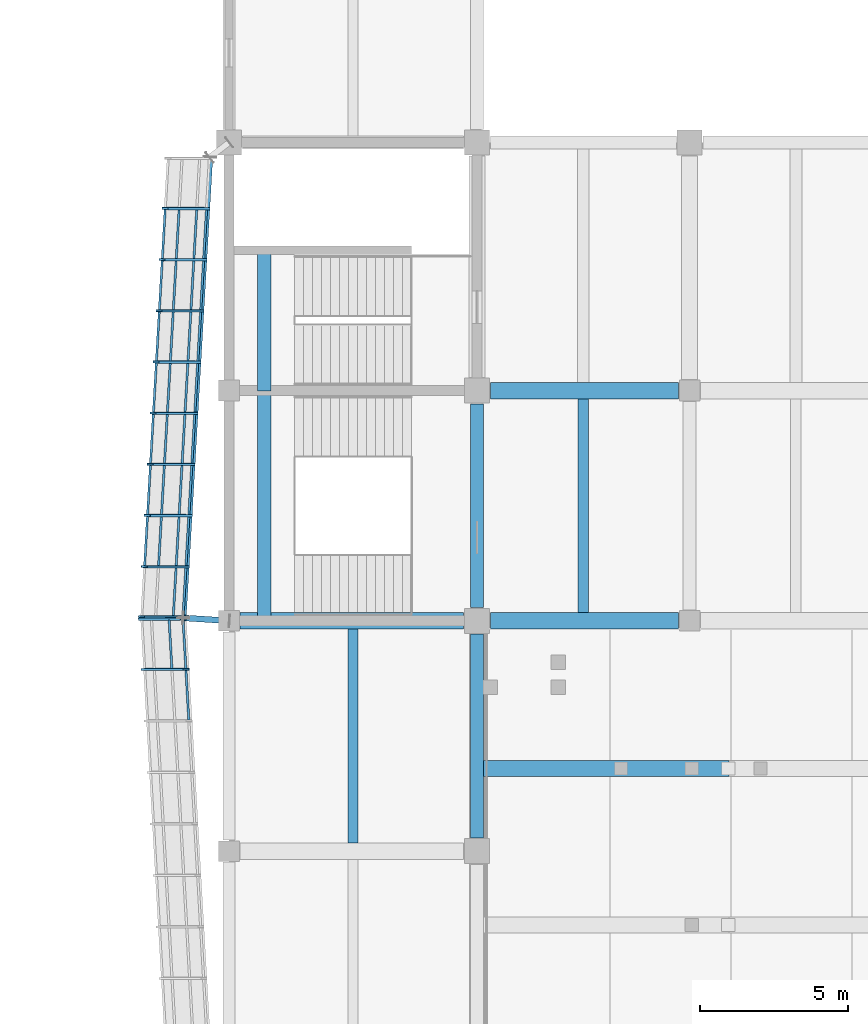
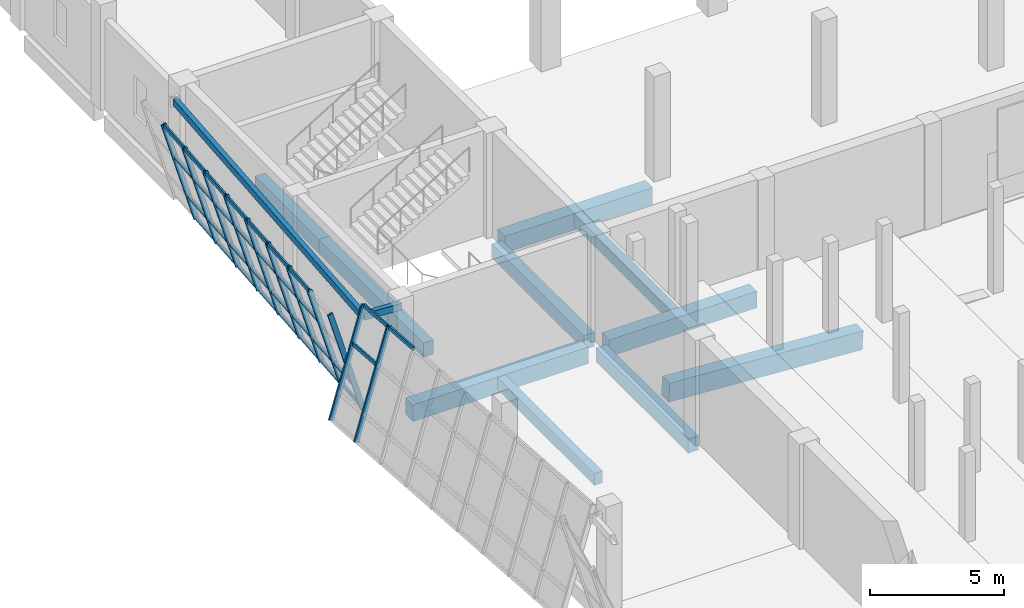
# One storey, part 45 of 91: 44 members, 12 beams, 2 elements without a shape of their own.
"""IFC4 building model written with IfcOpenShell, lengths in metres."""

import ifcopenshell
import ifcopenshell.guid

model = None  # the IFC model being written
_history = None  # IfcOwnerHistory: only IFC2X3 demands one
_inside = {}  # id of a spatial element -> (the spatial element, [elements in it])
_under = {}  # id of a project, library or spatial element -> (it, [spatial elements below it])
_declared = {}  # id of a project -> (the project, [libraries it declares])
_typed = {}  # id of a type object -> (the type object, [elements of that type])
_made_of = {}  # id of a material, layer set ... -> (it, [elements and type objects made of it])


def new_model(schema):
    """Start an empty IFC model of exactly this schema.

    Asked for "IFC4X3", IfcOpenShell would pick the latest addendum, in which some entities
    have other attributes; the version numbers below select the first issue.
    IFC2X3 requires an IfcOwnerHistory on every rooted entity: one is made here for all.
    """
    global model, _history
    if schema == "IFC4X3":
        model = ifcopenshell.file(schema_version=(4, 3, 0, 0))
    else:
        model = ifcopenshell.file(schema=schema)
    _inside.clear()
    _under.clear()
    _declared.clear()
    _typed.clear()
    _made_of.clear()
    _history = None
    if model.schema == "IFC2X3":
        org = make("IfcOrganization", Name="unknown")
        user = make(
            "IfcPersonAndOrganization",
            ThePerson=make("IfcPerson", FamilyName="unknown"),
            TheOrganization=org,
        )
        app = make(
            "IfcApplication",
            ApplicationDeveloper=org,
            Version="unknown",
            ApplicationFullName="unknown",
            ApplicationIdentifier="unknown",
        )
        _history = make(
            "IfcOwnerHistory",
            OwningUser=user,
            OwningApplication=app,
            ChangeAction="ADDED",
            CreationDate=0,
        )
    return model


def make(cls, **values):
    """One entity of the class cls with the attributes given. An attribute that is None is left unset."""
    return model.create_entity(
        cls, **{name: value for name, value in values.items() if value is not None}
    )


def rooted(cls, **values):
    """An entity with a GlobalId (a new one), such as an element, a storey or a relation."""
    return make(cls, GlobalId=ifcopenshell.guid.new(), OwnerHistory=_history, **values)


def si_unit(unit_type, name, prefix=None):
    """IfcSIUnit, for example si_unit("LENGTHUNIT", "METRE", prefix="MILLI")."""
    return make("IfcSIUnit", UnitType=unit_type, Prefix=prefix, Name=name)


def assignment(units):
    """IfcUnitAssignment: the units of a project."""
    return None if units is None else make("IfcUnitAssignment", Units=units)


def point(xyz):
    """IfcCartesianPoint."""
    return None if xyz is None else make("IfcCartesianPoint", Coordinates=xyz)


def direction(xyz):
    """IfcDirection."""
    return None if xyz is None else make("IfcDirection", DirectionRatios=xyz)


def frame(location, z_axis=None, x_axis=None):
    """IfcAxis2Placement3D, a coordinate frame: its origin and axes. An axis left out is left unset."""
    return make(
        "IfcAxis2Placement3D",
        Location=point(location),
        Axis=direction(z_axis),
        RefDirection=direction(x_axis),
    )


def frame_2d(location, x_axis=None):
    """IfcAxis2Placement2D, a coordinate frame in the plane: its origin and x axis."""
    return make(
        "IfcAxis2Placement2D", Location=point(location), RefDirection=direction(x_axis)
    )


def origin():
    """The frame at (0, 0, 0) with its axes left unset."""
    return frame((0.0, 0.0, 0.0))


def origin_2d():
    """The frame at (0, 0) in the plane with its x axis left unset."""
    return frame_2d((0.0, 0.0))


def place(relative_to, where):
    """IfcLocalPlacement: puts the frame where relative to a parent placement (None: the world)."""
    return make(
        "IfcLocalPlacement", PlacementRelTo=relative_to, RelativePlacement=where
    )


def context(
    kind, dimensions, precision=None, world=None, true_north=None, identifier=None
):
    """IfcGeometricRepresentationContext, for example the 3D "Model" context."""
    return make(
        "IfcGeometricRepresentationContext",
        ContextIdentifier=identifier,
        ContextType=kind,
        CoordinateSpaceDimension=dimensions,
        Precision=precision,
        WorldCoordinateSystem=world,
        TrueNorth=true_north,
    )


def subcontext(parent, identifier, kind, view, scale=None):
    """IfcGeometricRepresentationSubContext, for example "Body" below "Model"."""
    return make(
        "IfcGeometricRepresentationSubContext",
        ContextIdentifier=identifier,
        ContextType=kind,
        ParentContext=parent,
        TargetScale=scale,
        TargetView=view,
    )


def project(units=None, contexts=None):
    """IfcProject with its units and contexts."""
    return rooted(
        "IfcProject",
        Name="project",
        RepresentationContexts=contexts,
        UnitsInContext=assignment(units),
    )


def spatial(cls, under=None, at=None, **own):
    """A site, building, storey or space (cls), placed at a placement, below another one or the project."""
    s = rooted(cls, ObjectPlacement=at, **own)
    if under is not None:
        _under.setdefault(under.id(), (under, []))[1].append(s)
    return s


def profile(cls, at=None, kind="AREA", **sizes):
    """A parametric profile (cls). Its sizes go by their IFC names, for example OverallWidth=200.0."""
    return make(cls, ProfileType=kind, Position=at, **sizes)


def rectangle(**sizes):
    """IfcRectangleProfileDef."""
    return profile("IfcRectangleProfileDef", **sizes)


def hollow_rectangle(**sizes):
    """IfcRectangleHollowProfileDef."""
    return profile("IfcRectangleHollowProfileDef", **sizes)


def extrude(swept, where, along, depth):
    """IfcExtrudedAreaSolid: the profile swept, set in the frame where, extruded along a direction by depth."""
    return make(
        "IfcExtrudedAreaSolid",
        SweptArea=swept,
        Position=where,
        ExtrudedDirection=direction(along),
        Depth=depth,
    )


def shape(context_of_items, identifier, shape_type, items):
    """IfcShapeRepresentation: the items that make up one representation, for example the "Body"."""
    return make(
        "IfcShapeRepresentation",
        ContextOfItems=context_of_items,
        RepresentationIdentifier=identifier,
        RepresentationType=shape_type,
        Items=items,
    )


def material(Name=None, Category=None):
    """IfcMaterial."""
    return make("IfcMaterial", Name=Name, Category=Category)


def material_profile(
    of_material, cross_section, Name=None, Category=None, Priority=None
):
    """IfcMaterialProfile: a cross section and its material."""
    return make(
        "IfcMaterialProfile",
        Name=Name,
        Material=of_material,
        Profile=cross_section,
        Priority=Priority,
        Category=Category,
    )


def profile_set(profiles, Name=None, composite=None):
    """IfcMaterialProfileSet."""
    return make(
        "IfcMaterialProfileSet",
        Name=Name,
        MaterialProfiles=profiles,
        CompositeProfile=composite,
    )


def made_of(thing, what):
    """Note that an element or type object is made of a material, layer set ...; save() writes the relation."""
    if what is not None:
        _made_of.setdefault(what.id(), (what, []))[1].append(thing)
    return thing


def type_object(cls, material=None, **own):
    """A type object (cls), such as IfcWallType, which elements share."""
    return made_of(rooted(cls, **own), material)


def element(
    cls,
    number,
    at=None,
    inside=None,
    cuts=None,
    type_object=None,
    material=None,
    context=None,
    identifier="Body",
    shape_type=None,
    held_by="IfcProductDefinitionShape",
    body=None,
    shapes=None,
    **own,
):
    """One element of the class cls, such as IfcWall. Its Tag is "e" and its number.

    at: its placement. inside: the storey or other place that contains it. cuts: it is an
    opening in that element (IfcRelVoidsElement). A single representation is given by context,
    identifier, shape_type and body (its items); several are given by shapes. held_by: the class
    of the entity that holds the representations. save() writes the other relations.
    """
    e = rooted(cls, Tag="e%d" % number, ObjectPlacement=at, **own)
    if body is not None:
        shapes = [shape(context, identifier, shape_type, body)]
    if shapes is not None:
        e.Representation = make(held_by, Representations=shapes)
    if inside is not None:
        _inside.setdefault(inside.id(), (inside, []))[1].append(e)
    if cuts is not None:
        rooted(
            "IfcRelVoidsElement", RelatingBuildingElement=cuts, RelatedOpeningElement=e
        )
    if type_object is not None:
        _typed.setdefault(type_object.id(), (type_object, []))[1].append(e)
    return made_of(e, material)


def aggregate(whole, parts):
    """IfcRelAggregates: a whole, such as a stair, and the parts it consists of."""
    return rooted("IfcRelAggregates", RelatingObject=whole, RelatedObjects=parts)


def save(model, path):
    """Write the relations noted so far, then the file.

    IfcRelAggregates (storeys below a building ...), IfcRelContainedInSpatialStructure (elements
    in a storey), IfcRelDefinesByType, IfcRelAssociatesMaterial and IfcRelDeclares: one each for
    every whole, place, type object, material and project.
    """
    for whole, parts in _under.values():
        aggregate(whole, parts)
    for where, things in _inside.values():
        rooted(
            "IfcRelContainedInSpatialStructure",
            RelatedElements=things,
            RelatingStructure=where,
        )
    for kind, things in _typed.values():
        rooted("IfcRelDefinesByType", RelatedObjects=things, RelatingType=kind)
    for what, things in _made_of.values():
        rooted("IfcRelAssociatesMaterial", RelatedObjects=things, RelatingMaterial=what)
    for by, libraries in _declared.values():
        rooted("IfcRelDeclares", RelatingContext=by, RelatedDefinitions=libraries)
    model.write(path)


model = new_model("IFC4")

# Units and contexts
model_context = context("Model", 3, precision=1e-05, world=origin(), true_north=direction((0.0, 1.0)))
body_context = subcontext(model_context, "Body", "Model", "MODEL_VIEW")
ifc_project = project(units=[si_unit("LENGTHUNIT", "METRE"), si_unit("AREAUNIT", "SQUARE_METRE"), si_unit("VOLUMEUNIT", "CUBIC_METRE"), si_unit("PLANEANGLEUNIT", "RADIAN"), si_unit("MASSUNIT", "GRAM", prefix="KILO")], contexts=[model_context])

# Site, building, storey
site_placement = place(None, origin())
site = spatial("IfcSite", under=ifc_project, at=site_placement, CompositionType="ELEMENT")
building_placement = place(site_placement, origin())
building = spatial("IfcBuilding", under=site, at=building_placement, Name="Pellamere Symphony Hall", CompositionType="ELEMENT")
storey_placement = place(building_placement, frame((0.0, 0.0, 5.39990234375)))
storey = spatial("IfcBuildingStorey", under=building, at=storey_placement, Name="L01", CompositionType="ELEMENT", Elevation=5.39990234375)

# Curtain wall, members
ifc_material_1 = material(Name="Thermally Broken Anodised Aluminium 6063-T6 Curtain Wall", Category="aluminium")
curtain_wall_type = type_object("IfcCurtainWallType", Name="Curtain Wall CW-01 (Tilted Faceted Crystal Low-Iron Curtain Wall)", PredefinedType="NOTDEFINED", material=ifc_material_1)
curtain_wall_1_placement = place(storey_placement, origin())
curtain_wall_1 = element("IfcCurtainWall", 1, at=curtain_wall_1_placement, inside=storey, type_object=curtain_wall_type, Name="Crystal Faceted Curtain Wall CW-CR15 (L01)", PredefinedType="NOTDEFINED")
ifc_material_2 = material(Name="Anodised Architectural Aluminium 6063-T6", Category="aluminium")
ifc_material_profile_1 = material_profile(ifc_material_2, hollow_rectangle(XDim=0.074951171875, YDim=0.219970703125, WallThickness=0.0048828125, at=origin_2d()), Name="ALU-M75X220X5")
ifc_profile_set_1 = profile_set([ifc_material_profile_1], Name="Anodised Architectural Aluminium 6063-T6")
member_type_1 = type_object("IfcMemberType", Name="Curtain Wall Mullion ML-01 ALU-M75X220X5", PredefinedType="MULLION", material=ifc_profile_set_1)
member_1_placement = place(storey_placement, frame((49.64990234375, 91.36669921875, 0.0), z_axis=(-0.283977077304, 0.0, 0.958831069358), x_axis=(-0.055225347331, -0.998339941676, -0.016356095697)))
member_1 = element("IfcMember", 2, at=member_1_placement, type_object=member_type_1, Name="CW1-038 crystal mullion 2", PredefinedType="MULLION", context=body_context, shape_type="SweptSolid", body=[
    extrude(hollow_rectangle(XDim=0.074951171875, YDim=0.219970703125, WallThickness=0.0048828125, at=origin_2d()), origin(), (0.0, 0.0, 1.0), 5.006103515625),
])
member_2_placement = place(storey_placement, frame((49.550048828125, 89.63330078125, 0.0), z_axis=(-0.284021911736, 0.0, 0.9588177896), x_axis=(-0.055224582463, -0.998339941676, -0.016358678005)))
member_2 = element("IfcMember", 3, at=member_2_placement, type_object=member_type_1, Name="CW1-038 crystal mullion 3", PredefinedType="MULLION", context=body_context, shape_type="SweptSolid", body=[
    extrude(hollow_rectangle(XDim=0.074951171875, YDim=0.219970703125, WallThickness=0.0048828125, at=origin_2d()), origin(), (0.0, 0.0, 1.0), 5.006103515625),
])
member_3_placement = place(storey_placement, frame((49.449951171875, 87.89990234375, 0.0), z_axis=(-0.283977077304, 0.0, 0.958831069358), x_axis=(-0.055225347331, -0.998339941676, -0.016356095697)))
member_3 = element("IfcMember", 4, at=member_3_placement, type_object=member_type_1, Name="CW1-038 crystal mullion 4", PredefinedType="MULLION", context=body_context, shape_type="SweptSolid", body=[
    extrude(hollow_rectangle(XDim=0.074951171875, YDim=0.219970703125, WallThickness=0.0048828125, at=origin_2d()), origin(), (0.0, 0.0, 1.0), 5.006103515625),
])
member_4_placement = place(storey_placement, frame((49.35009765625, 86.166748046875, 0.0), z_axis=(-0.284021911736, 0.0, 0.9588177896), x_axis=(-0.055224582463, -0.998339941676, -0.016358678005)))
member_4 = element("IfcMember", 5, at=member_4_placement, type_object=member_type_1, Name="CW1-038 crystal mullion 5", PredefinedType="MULLION", context=body_context, shape_type="SweptSolid", body=[
    extrude(hollow_rectangle(XDim=0.074951171875, YDim=0.219970703125, WallThickness=0.0048828125, at=origin_2d()), origin(), (0.0, 0.0, 1.0), 5.006103515625),
])
member_5_placement = place(storey_placement, frame((49.25, 84.433349609375, 0.0), z_axis=(-0.284021911736, 0.0, 0.9588177896), x_axis=(-0.055224582463, -0.998339941676, -0.016358678005)))
member_5 = element("IfcMember", 6, at=member_5_placement, type_object=member_type_1, Name="CW1-038 crystal mullion 6", PredefinedType="MULLION", context=body_context, shape_type="SweptSolid", body=[
    extrude(hollow_rectangle(XDim=0.074951171875, YDim=0.219970703125, WallThickness=0.0048828125, at=origin_2d()), origin(), (0.0, 0.0, 1.0), 5.006103515625),
])
member_6_placement = place(storey_placement, frame((49.14990234375, 82.699951171875, 0.0), z_axis=(-0.283977077304, 0.0, 0.958831069358), x_axis=(-0.055225347331, -0.998339941676, -0.016356095697)))
member_6 = element("IfcMember", 7, at=member_6_placement, type_object=member_type_1, Name="CW1-038 crystal mullion 7", PredefinedType="MULLION", context=body_context, shape_type="SweptSolid", body=[
    extrude(hollow_rectangle(XDim=0.074951171875, YDim=0.219970703125, WallThickness=0.0048828125, at=origin_2d()), origin(), (0.0, 0.0, 1.0), 5.006103515625),
])
member_7_placement = place(storey_placement, frame((49.050048828125, 80.966552734375, 0.0), z_axis=(-0.284021911736, 0.0, 0.9588177896), x_axis=(-0.055224582463, -0.998339941676, -0.016358678005)))
member_7 = element("IfcMember", 8, at=member_7_placement, type_object=member_type_1, Name="CW1-038 crystal mullion 8", PredefinedType="MULLION", context=body_context, shape_type="SweptSolid", body=[
    extrude(hollow_rectangle(XDim=0.074951171875, YDim=0.219970703125, WallThickness=0.0048828125, at=origin_2d()), origin(), (0.0, 0.0, 1.0), 5.006103515625),
])
member_8_placement = place(storey_placement, frame((48.949951171875, 79.2333984375, 0.0), z_axis=(-0.283977077304, 0.0, 0.958831069358), x_axis=(-0.055225347331, -0.998339941676, -0.016356095697)))
member_8 = element("IfcMember", 9, at=member_8_placement, type_object=member_type_1, Name="CW1-038 crystal mullion 9", PredefinedType="MULLION", context=body_context, shape_type="SweptSolid", body=[
    extrude(hollow_rectangle(XDim=0.074951171875, YDim=0.219970703125, WallThickness=0.0048828125, at=origin_2d()), origin(), (0.0, 0.0, 1.0), 5.006103515625),
])
member_9_placement = place(storey_placement, frame((48.85205078125, 77.537353515625, 0.0), z_axis=(-0.283977077304, 0.0, 0.958831069358), x_axis=(-0.055225347331, -0.998339941676, -0.016356095697)))
member_9 = element("IfcMember", 10, at=member_9_placement, type_object=member_type_1, Name="CW1-038 crystal mullion 10", PredefinedType="MULLION", context=body_context, shape_type="SweptSolid", body=[
    extrude(hollow_rectangle(XDim=0.074951171875, YDim=0.219970703125, WallThickness=0.0048828125, at=origin_2d()), origin(), (0.0, 0.0, 1.0), 5.006103515625),
])

curtain_wall_2_placement = place(storey_placement, origin())
curtain_wall_2 = element("IfcCurtainWall", 11, at=curtain_wall_2_placement, inside=storey, type_object=curtain_wall_type, Name="Crystal Faceted Curtain Wall CW-CR16 (L01)", PredefinedType="NOTDEFINED")
member_10_placement = place(storey_placement, frame((47.430419921875, 77.462646484375, 0.0), z_axis=(0.283977077304, 0.0, 0.958831069358), x_axis=(-0.054874749346, 0.99836096977, 0.016252259063)))
member_10 = element("IfcMember", 12, at=member_10_placement, type_object=member_type_1, Name="CW1-043 crystal mullion 1", PredefinedType="MULLION", context=body_context, shape_type="SweptSolid", body=[
    extrude(hollow_rectangle(XDim=0.074951171875, YDim=0.219970703125, WallThickness=0.0048828125, at=origin_2d()), origin(), (0.0, 0.0, 1.0), 5.006103515625),
])
member_11_placement = place(storey_placement, frame((47.5283203125, 75.755615234375, 0.0), z_axis=(0.283977077304, 0.0, 0.958831069358), x_axis=(-0.054874749346, 0.99836096977, 0.016252259063)))
member_11 = element("IfcMember", 13, at=member_11_placement, type_object=member_type_1, Name="CW1-043 crystal mullion 2", PredefinedType="MULLION", context=body_context, shape_type="SweptSolid", body=[
    extrude(hollow_rectangle(XDim=0.074951171875, YDim=0.219970703125, WallThickness=0.0048828125, at=origin_2d()), origin(), (0.0, 0.0, 1.0), 5.006103515625),
])

# Member
ifc_material_profile_2 = material_profile(ifc_material_2, hollow_rectangle(XDim=0.074951171875, YDim=0.179931640625, WallThickness=0.0048828125, at=origin_2d()), Name="ALU-T75X180X5")
ifc_profile_set_2 = profile_set([ifc_material_profile_2], Name="Anodised Architectural Aluminium 6063-T6")
member_type_2 = type_object("IfcMemberType", Name="Curtain Wall Transom TR-01 ALU-T75X180X5", PredefinedType="USERDEFINED", material=ifc_profile_set_2)
member_12_placement = place(storey_placement, frame((49.63720703125, 91.329345703125, 0.0361328125), z_axis=(-0.057602168051, -0.998339616682, 0.0), x_axis=(0.998339616682, -0.057602168051, 0.0)))
member_12 = element("IfcMember", 14, at=member_12_placement, type_object=member_type_2, Name="CW1-038 crystal transom 2.1", ObjectType="TRANSOM", PredefinedType="USERDEFINED", context=body_context, shape_type="SweptSolid", body=[
    extrude(hollow_rectangle(XDim=0.074951171875, YDim=0.179931640625, WallThickness=0.0048828125, at=origin_2d()), origin(), (0.0, 0.0, 1.0), 1.661376953125),
])

member_13_placement = place(storey_placement, frame((49.306640625, 91.329345703125, 1.152099609375), z_axis=(-0.057602168051, -0.998339616682, 0.0), x_axis=(0.998339616682, -0.057602168051, 0.0)))
member_13 = element("IfcMember", 15, at=member_13_placement, type_object=member_type_2, Name="CW1-038 crystal transom 2.2", ObjectType="TRANSOM", PredefinedType="USERDEFINED", context=body_context, shape_type="SweptSolid", body=[
    extrude(hollow_rectangle(XDim=0.074951171875, YDim=0.179931640625, WallThickness=0.0048828125, at=origin_2d()), origin(), (0.0, 0.0, 1.0), 1.661376953125),
])

member_14_placement = place(storey_placement, frame((48.70947265625, 91.329345703125, 3.168212890625), z_axis=(-0.057602168051, -0.998339616682, 0.0), x_axis=(0.998339616682, -0.057602168051, 0.0)))
member_14 = element("IfcMember", 16, at=member_14_placement, type_object=member_type_2, Name="CW1-038 crystal transom 2.3", ObjectType="TRANSOM", PredefinedType="USERDEFINED", context=body_context, shape_type="SweptSolid", body=[
    extrude(hollow_rectangle(XDim=0.074951171875, YDim=0.179931640625, WallThickness=0.0048828125, at=origin_2d()), origin(), (0.0, 0.0, 1.0), 1.661376953125),
])

member_15_placement = place(storey_placement, frame((48.236572265625, 91.329345703125, 4.76416015625), z_axis=(-0.05745570945, -0.998348056267, 0.0), x_axis=(0.998348056267, -0.05745570945, 0.0)))
member_15 = element("IfcMember", 17, at=member_15_placement, type_object=member_type_2, Name="CW1-038 crystal transom 2.4", ObjectType="TRANSOM", PredefinedType="USERDEFINED", context=body_context, shape_type="SweptSolid", body=[
    extrude(hollow_rectangle(XDim=0.074951171875, YDim=0.179931640625, WallThickness=0.0048828125, at=origin_2d()), origin(), (0.0, 0.0, 1.0), 1.661376953125),
])

member_16_placement = place(storey_placement, frame((49.537109375, 89.595947265625, 0.0361328125), z_axis=(-0.057610619545, -0.998339129012, 0.0), x_axis=(0.998339129012, -0.057610619545, 0.0)))
member_16 = element("IfcMember", 18, at=member_16_placement, type_object=member_type_2, Name="CW1-038 crystal transom 3.1", ObjectType="TRANSOM", PredefinedType="USERDEFINED", context=body_context, shape_type="SweptSolid", body=[
    extrude(hollow_rectangle(XDim=0.074951171875, YDim=0.179931640625, WallThickness=0.0048828125, at=origin_2d()), origin(), (0.0, 0.0, 1.0), 1.6611328125),
])

member_17_placement = place(storey_placement, frame((49.20654296875, 89.595947265625, 1.152099609375), z_axis=(-0.057610619545, -0.998339129012, 0.0), x_axis=(0.998339129012, -0.057610619545, 0.0)))
member_17 = element("IfcMember", 19, at=member_17_placement, type_object=member_type_2, Name="CW1-038 crystal transom 3.2", ObjectType="TRANSOM", PredefinedType="USERDEFINED", context=body_context, shape_type="SweptSolid", body=[
    extrude(hollow_rectangle(XDim=0.074951171875, YDim=0.179931640625, WallThickness=0.0048828125, at=origin_2d()), origin(), (0.0, 0.0, 1.0), 1.6611328125),
])

member_18_placement = place(storey_placement, frame((48.609375, 89.595947265625, 3.168212890625), z_axis=(-0.057610619545, -0.998339129012, 0.0), x_axis=(0.998339129012, -0.057610619545, 0.0)))
member_18 = element("IfcMember", 20, at=member_18_placement, type_object=member_type_2, Name="CW1-038 crystal transom 3.3", ObjectType="TRANSOM", PredefinedType="USERDEFINED", context=body_context, shape_type="SweptSolid", body=[
    extrude(hollow_rectangle(XDim=0.074951171875, YDim=0.179931640625, WallThickness=0.0048828125, at=origin_2d()), origin(), (0.0, 0.0, 1.0), 1.6611328125),
])

member_19_placement = place(storey_placement, frame((48.13671875, 89.595947265625, 4.76416015625), z_axis=(-0.057610619545, -0.998339129012, 0.0), x_axis=(0.998339129012, -0.057610619545, 0.0)))
member_19 = element("IfcMember", 21, at=member_19_placement, type_object=member_type_2, Name="CW1-038 crystal transom 3.4", ObjectType="TRANSOM", PredefinedType="USERDEFINED", context=body_context, shape_type="SweptSolid", body=[
    extrude(hollow_rectangle(XDim=0.074951171875, YDim=0.179931640625, WallThickness=0.0048828125, at=origin_2d()), origin(), (0.0, 0.0, 1.0), 1.6611328125),
])

member_20_placement = place(storey_placement, frame((49.437255859375, 87.862548828125, 0.0361328125), z_axis=(-0.057610619545, -0.998339129012, 0.0), x_axis=(0.998339129012, -0.057610619545, 0.0)))
member_20 = element("IfcMember", 22, at=member_20_placement, type_object=member_type_2, Name="CW1-038 crystal transom 4.1", ObjectType="TRANSOM", PredefinedType="USERDEFINED", context=body_context, shape_type="SweptSolid", body=[
    extrude(hollow_rectangle(XDim=0.074951171875, YDim=0.179931640625, WallThickness=0.0048828125, at=origin_2d()), origin(), (0.0, 0.0, 1.0), 1.6611328125),
])

member_21_placement = place(storey_placement, frame((49.106689453125, 87.862548828125, 1.152099609375), z_axis=(-0.057610619545, -0.998339129012, 0.0), x_axis=(0.998339129012, -0.057610619545, 0.0)))
member_21 = element("IfcMember", 23, at=member_21_placement, type_object=member_type_2, Name="CW1-038 crystal transom 4.2", ObjectType="TRANSOM", PredefinedType="USERDEFINED", context=body_context, shape_type="SweptSolid", body=[
    extrude(hollow_rectangle(XDim=0.074951171875, YDim=0.179931640625, WallThickness=0.0048828125, at=origin_2d()), origin(), (0.0, 0.0, 1.0), 1.6611328125),
])

member_22_placement = place(storey_placement, frame((48.509521484375, 87.862548828125, 3.168212890625), z_axis=(-0.057610619545, -0.998339129012, 0.0), x_axis=(0.998339129012, -0.057610619545, 0.0)))
member_22 = element("IfcMember", 24, at=member_22_placement, type_object=member_type_2, Name="CW1-038 crystal transom 4.3", ObjectType="TRANSOM", PredefinedType="USERDEFINED", context=body_context, shape_type="SweptSolid", body=[
    extrude(hollow_rectangle(XDim=0.074951171875, YDim=0.179931640625, WallThickness=0.0048828125, at=origin_2d()), origin(), (0.0, 0.0, 1.0), 1.6611328125),
])

member_23_placement = place(storey_placement, frame((48.03662109375, 87.862548828125, 4.76416015625), z_axis=(-0.057610619545, -0.998339129012, 0.0), x_axis=(0.998339129012, -0.057610619545, 0.0)))
member_23 = element("IfcMember", 25, at=member_23_placement, type_object=member_type_2, Name="CW1-038 crystal transom 4.4", ObjectType="TRANSOM", PredefinedType="USERDEFINED", context=body_context, shape_type="SweptSolid", body=[
    extrude(hollow_rectangle(XDim=0.074951171875, YDim=0.179931640625, WallThickness=0.0048828125, at=origin_2d()), origin(), (0.0, 0.0, 1.0), 1.6611328125),
])

member_24_placement = place(storey_placement, frame((49.337158203125, 86.129150390625, 0.0361328125), z_axis=(-0.057610619545, -0.998339129012, 0.0), x_axis=(0.998339129012, -0.057610619545, 0.0)))
member_24 = element("IfcMember", 26, at=member_24_placement, type_object=member_type_2, Name="CW1-038 crystal transom 5.1", ObjectType="TRANSOM", PredefinedType="USERDEFINED", context=body_context, shape_type="SweptSolid", body=[
    extrude(hollow_rectangle(XDim=0.074951171875, YDim=0.179931640625, WallThickness=0.0048828125, at=origin_2d()), origin(), (0.0, 0.0, 1.0), 1.6611328125),
])

member_25_placement = place(storey_placement, frame((49.006591796875, 86.129150390625, 1.152099609375), z_axis=(-0.057610619545, -0.998339129012, 0.0), x_axis=(0.998339129012, -0.057610619545, 0.0)))
member_25 = element("IfcMember", 27, at=member_25_placement, type_object=member_type_2, Name="CW1-038 crystal transom 5.2", ObjectType="TRANSOM", PredefinedType="USERDEFINED", context=body_context, shape_type="SweptSolid", body=[
    extrude(hollow_rectangle(XDim=0.074951171875, YDim=0.179931640625, WallThickness=0.0048828125, at=origin_2d()), origin(), (0.0, 0.0, 1.0), 1.6611328125),
])

member_26_placement = place(storey_placement, frame((48.409423828125, 86.129150390625, 3.168212890625), z_axis=(-0.057610619545, -0.998339129012, 0.0), x_axis=(0.998339129012, -0.057610619545, 0.0)))
member_26 = element("IfcMember", 28, at=member_26_placement, type_object=member_type_2, Name="CW1-038 crystal transom 5.3", ObjectType="TRANSOM", PredefinedType="USERDEFINED", context=body_context, shape_type="SweptSolid", body=[
    extrude(hollow_rectangle(XDim=0.074951171875, YDim=0.179931640625, WallThickness=0.0048828125, at=origin_2d()), origin(), (0.0, 0.0, 1.0), 1.6611328125),
])

member_27_placement = place(storey_placement, frame((47.936767578125, 86.129150390625, 4.76416015625), z_axis=(-0.057610619545, -0.998339129012, 0.0), x_axis=(0.998339129012, -0.057610619545, 0.0)))
member_27 = element("IfcMember", 29, at=member_27_placement, type_object=member_type_2, Name="CW1-038 crystal transom 5.4", ObjectType="TRANSOM", PredefinedType="USERDEFINED", context=body_context, shape_type="SweptSolid", body=[
    extrude(hollow_rectangle(XDim=0.074951171875, YDim=0.179931640625, WallThickness=0.0048828125, at=origin_2d()), origin(), (0.0, 0.0, 1.0), 1.6611328125),
])

member_28_placement = place(storey_placement, frame((49.2373046875, 84.39599609375, 0.0361328125), z_axis=(-0.057610619545, -0.998339129012, 0.0), x_axis=(0.998339129012, -0.057610619545, 0.0)))
member_28 = element("IfcMember", 30, at=member_28_placement, type_object=member_type_2, Name="CW1-038 crystal transom 6.1", ObjectType="TRANSOM", PredefinedType="USERDEFINED", context=body_context, shape_type="SweptSolid", body=[
    extrude(hollow_rectangle(XDim=0.074951171875, YDim=0.179931640625, WallThickness=0.0048828125, at=origin_2d()), origin(), (0.0, 0.0, 1.0), 1.6611328125),
])

member_29_placement = place(storey_placement, frame((48.906494140625, 84.39599609375, 1.152099609375), z_axis=(-0.057464139598, -0.998347571069, 0.0), x_axis=(0.998347571069, -0.057464139598, 0.0)))
member_29 = element("IfcMember", 31, at=member_29_placement, type_object=member_type_2, Name="CW1-038 crystal transom 6.2", ObjectType="TRANSOM", PredefinedType="USERDEFINED", context=body_context, shape_type="SweptSolid", body=[
    extrude(hollow_rectangle(XDim=0.074951171875, YDim=0.179931640625, WallThickness=0.0048828125, at=origin_2d()), origin(), (0.0, 0.0, 1.0), 1.6611328125),
])

member_30_placement = place(storey_placement, frame((48.3095703125, 84.39599609375, 3.168212890625), z_axis=(-0.057610619545, -0.998339129012, 0.0), x_axis=(0.998339129012, -0.057610619545, 0.0)))
member_30 = element("IfcMember", 32, at=member_30_placement, type_object=member_type_2, Name="CW1-038 crystal transom 6.3", ObjectType="TRANSOM", PredefinedType="USERDEFINED", context=body_context, shape_type="SweptSolid", body=[
    extrude(hollow_rectangle(XDim=0.074951171875, YDim=0.179931640625, WallThickness=0.0048828125, at=origin_2d()), origin(), (0.0, 0.0, 1.0), 1.6611328125),
])

member_31_placement = place(storey_placement, frame((47.836669921875, 84.39599609375, 4.76416015625), z_axis=(-0.057610619545, -0.998339129012, 0.0), x_axis=(0.998339129012, -0.057610619545, 0.0)))
member_31 = element("IfcMember", 33, at=member_31_placement, type_object=member_type_2, Name="CW1-038 crystal transom 6.4", ObjectType="TRANSOM", PredefinedType="USERDEFINED", context=body_context, shape_type="SweptSolid", body=[
    extrude(hollow_rectangle(XDim=0.074951171875, YDim=0.179931640625, WallThickness=0.0048828125, at=origin_2d()), origin(), (0.0, 0.0, 1.0), 1.6611328125),
])

member_32_placement = place(storey_placement, frame((49.13720703125, 82.66259765625, 0.0361328125), z_axis=(-0.057610619545, -0.998339129012, 0.0), x_axis=(0.998339129012, -0.057610619545, 0.0)))
member_32 = element("IfcMember", 34, at=member_32_placement, type_object=member_type_2, Name="CW1-038 crystal transom 7.1", ObjectType="TRANSOM", PredefinedType="USERDEFINED", context=body_context, shape_type="SweptSolid", body=[
    extrude(hollow_rectangle(XDim=0.074951171875, YDim=0.179931640625, WallThickness=0.0048828125, at=origin_2d()), origin(), (0.0, 0.0, 1.0), 1.6611328125),
])

member_33_placement = place(storey_placement, frame((48.806640625, 82.66259765625, 1.152099609375), z_axis=(-0.057610619545, -0.998339129012, 0.0), x_axis=(0.998339129012, -0.057610619545, 0.0)))
member_33 = element("IfcMember", 35, at=member_33_placement, type_object=member_type_2, Name="CW1-038 crystal transom 7.2", ObjectType="TRANSOM", PredefinedType="USERDEFINED", context=body_context, shape_type="SweptSolid", body=[
    extrude(hollow_rectangle(XDim=0.074951171875, YDim=0.179931640625, WallThickness=0.0048828125, at=origin_2d()), origin(), (0.0, 0.0, 1.0), 1.6611328125),
])

member_34_placement = place(storey_placement, frame((48.20947265625, 82.66259765625, 3.168212890625), z_axis=(-0.057610619545, -0.998339129012, 0.0), x_axis=(0.998339129012, -0.057610619545, 0.0)))
member_34 = element("IfcMember", 36, at=member_34_placement, type_object=member_type_2, Name="CW1-038 crystal transom 7.3", ObjectType="TRANSOM", PredefinedType="USERDEFINED", context=body_context, shape_type="SweptSolid", body=[
    extrude(hollow_rectangle(XDim=0.074951171875, YDim=0.179931640625, WallThickness=0.0048828125, at=origin_2d()), origin(), (0.0, 0.0, 1.0), 1.6611328125),
])

member_35_placement = place(storey_placement, frame((47.736572265625, 82.66259765625, 4.76416015625), z_axis=(-0.057464139598, -0.998347571069, 0.0), x_axis=(0.998347571069, -0.057464139598, 0.0)))
member_35 = element("IfcMember", 37, at=member_35_placement, type_object=member_type_2, Name="CW1-038 crystal transom 7.4", ObjectType="TRANSOM", PredefinedType="USERDEFINED", context=body_context, shape_type="SweptSolid", body=[
    extrude(hollow_rectangle(XDim=0.074951171875, YDim=0.179931640625, WallThickness=0.0048828125, at=origin_2d()), origin(), (0.0, 0.0, 1.0), 1.6611328125),
])

member_36_placement = place(storey_placement, frame((49.037109375, 80.92919921875, 0.0361328125), z_axis=(-0.057610619545, -0.998339129012, 0.0), x_axis=(0.998339129012, -0.057610619545, 0.0)))
member_36 = element("IfcMember", 38, at=member_36_placement, type_object=member_type_2, Name="CW1-038 crystal transom 8.1", ObjectType="TRANSOM", PredefinedType="USERDEFINED", context=body_context, shape_type="SweptSolid", body=[
    extrude(hollow_rectangle(XDim=0.074951171875, YDim=0.179931640625, WallThickness=0.0048828125, at=origin_2d()), origin(), (0.0, 0.0, 1.0), 1.6611328125),
])

member_37_placement = place(storey_placement, frame((48.70654296875, 80.92919921875, 1.152099609375), z_axis=(-0.057610619545, -0.998339129012, 0.0), x_axis=(0.998339129012, -0.057610619545, 0.0)))
member_37 = element("IfcMember", 39, at=member_37_placement, type_object=member_type_2, Name="CW1-038 crystal transom 8.2", ObjectType="TRANSOM", PredefinedType="USERDEFINED", context=body_context, shape_type="SweptSolid", body=[
    extrude(hollow_rectangle(XDim=0.074951171875, YDim=0.179931640625, WallThickness=0.0048828125, at=origin_2d()), origin(), (0.0, 0.0, 1.0), 1.6611328125),
])

member_38_placement = place(storey_placement, frame((48.109375, 80.92919921875, 3.168212890625), z_axis=(-0.057610619545, -0.998339129012, 0.0), x_axis=(0.998339129012, -0.057610619545, 0.0)))
member_38 = element("IfcMember", 40, at=member_38_placement, type_object=member_type_2, Name="CW1-038 crystal transom 8.3", ObjectType="TRANSOM", PredefinedType="USERDEFINED", context=body_context, shape_type="SweptSolid", body=[
    extrude(hollow_rectangle(XDim=0.074951171875, YDim=0.179931640625, WallThickness=0.0048828125, at=origin_2d()), origin(), (0.0, 0.0, 1.0), 1.6611328125),
])

member_39_placement = place(storey_placement, frame((47.63671875, 80.92919921875, 4.76416015625), z_axis=(-0.057610619545, -0.998339129012, 0.0), x_axis=(0.998339129012, -0.057610619545, 0.0)))
member_39 = element("IfcMember", 41, at=member_39_placement, type_object=member_type_2, Name="CW1-038 crystal transom 8.4", ObjectType="TRANSOM", PredefinedType="USERDEFINED", context=body_context, shape_type="SweptSolid", body=[
    extrude(hollow_rectangle(XDim=0.074951171875, YDim=0.179931640625, WallThickness=0.0048828125, at=origin_2d()), origin(), (0.0, 0.0, 1.0), 1.6611328125),
])

member_40_placement = place(storey_placement, frame((48.937255859375, 79.19580078125, 0.0361328125), z_axis=(-0.057593652861, -0.998340107954, 0.0), x_axis=(0.998340107954, -0.057593652861, 0.0)))
member_40 = element("IfcMember", 42, at=member_40_placement, type_object=member_type_2, Name="CW1-038 crystal transom 9.1", ObjectType="TRANSOM", PredefinedType="USERDEFINED", context=body_context, shape_type="SweptSolid", body=[
    extrude(hollow_rectangle(XDim=0.074951171875, YDim=0.179931640625, WallThickness=0.0048828125, at=origin_2d()), origin(), (0.0, 0.0, 1.0), 1.62353515625),
])

member_41_placement = place(storey_placement, frame((48.606689453125, 79.19580078125, 1.152099609375), z_axis=(-0.057593652861, -0.998340107954, 0.0), x_axis=(0.998340107954, -0.057593652861, 0.0)))
member_41 = element("IfcMember", 43, at=member_41_placement, type_object=member_type_2, Name="CW1-038 crystal transom 9.2", ObjectType="TRANSOM", PredefinedType="USERDEFINED", context=body_context, shape_type="SweptSolid", body=[
    extrude(hollow_rectangle(XDim=0.074951171875, YDim=0.179931640625, WallThickness=0.0048828125, at=origin_2d()), origin(), (0.0, 0.0, 1.0), 1.62353515625),
])

aggregate(curtain_wall_1, [member_1, member_2, member_3, member_4, member_5, member_6, member_7, member_8, member_9, member_12, member_13, member_14, member_15, member_16, member_17, member_18, member_19, member_20, member_21, member_22, member_23, member_24, member_25, member_26, member_27, member_28, member_29, member_30, member_31, member_32, member_33, member_34, member_35, member_36, member_37, member_38, member_39, member_40, member_41])

member_42_placement = place(storey_placement, frame((48.370849609375, 77.425048828125, 3.168212890625), z_axis=(0.057198647566, -0.998362817175, 0.0), x_axis=(0.998362817175, 0.057198647566, 0.0)))
member_42 = element("IfcMember", 44, at=member_42_placement, type_object=member_type_2, Name="CW1-043 crystal transom 1.3", ObjectType="TRANSOM", PredefinedType="USERDEFINED", context=body_context, shape_type="SweptSolid", body=[
    extrude(hollow_rectangle(XDim=0.074951171875, YDim=0.179931640625, WallThickness=0.0048828125, at=origin_2d()), origin(), (0.0, 0.0, 1.0), 1.634765625),
])

member_43_placement = place(storey_placement, frame((48.84375, 77.425048828125, 4.76416015625), z_axis=(0.057198647566, -0.998362817175, 0.0), x_axis=(0.998362817175, 0.057198647566, 0.0)))
member_43 = element("IfcMember", 45, at=member_43_placement, type_object=member_type_2, Name="CW1-043 crystal transom 1.4", ObjectType="TRANSOM", PredefinedType="USERDEFINED", context=body_context, shape_type="SweptSolid", body=[
    extrude(hollow_rectangle(XDim=0.074951171875, YDim=0.179931640625, WallThickness=0.0048828125, at=origin_2d()), origin(), (0.0, 0.0, 1.0), 1.634765625),
])

member_44_placement = place(storey_placement, frame((48.94140625, 75.718017578125, 4.76416015625), z_axis=(0.057232737422, -0.998360863499, 0.0), x_axis=(0.998360863499, 0.057232737422, 0.0)))
member_44 = element("IfcMember", 46, at=member_44_placement, type_object=member_type_2, Name="CW1-043 crystal transom 2.4", ObjectType="TRANSOM", PredefinedType="USERDEFINED", context=body_context, shape_type="SweptSolid", body=[
    extrude(hollow_rectangle(XDim=0.074951171875, YDim=0.179931640625, WallThickness=0.0048828125, at=origin_2d()), origin(), (0.0, 0.0, 1.0), 1.672119140625),
])

aggregate(curtain_wall_2, [member_10, member_11, member_42, member_43, member_44])

# Beams
ifc_material_3 = material(Name="Concrete 40 MPa", Category="concrete")
ifc_material_profile_3 = material_profile(ifc_material_3, rectangle(XDim=0.449951171875, YDim=0.64990234375, at=origin_2d()), Name="RC 450x650")
ifc_profile_set_3 = profile_set([ifc_material_profile_3], Name="Concrete 40 MPa")
beam_type_1 = type_object("IfcBeamType", Name="RC CB-08 450x650", PredefinedType="BEAM", material=ifc_profile_set_3)
for number, where, z_axis, x_axis, name in (
    (47, (58.800048828125, 70.050048828125, -0.60498046875), (0.0, 1.0, 0.0), (-1.0, 0.0, 0.0), "Girder CB-08-Y0763 (L01)"),
    (48, (58.800048828125, 77.85009765625, -0.60498046875), (0.0, 1.0, 0.0), (-1.0, 0.0, 0.0), "Girder CB-08-Y0764 (L01)"),
):
    element("IfcBeam", number, at=place(storey_placement, frame(where, z_axis=z_axis, x_axis=x_axis)), inside=storey, type_object=beam_type_1, Name=name, PredefinedType="BEAM", context=body_context, shape_type="SweptSolid", body=[
        extrude(rectangle(XDim=0.449951171875, YDim=0.64990234375, at=origin_2d()), origin(), (0.0, 0.0, 1.0), 6.89990234375),
    ])
beam_1_placement = place(storey_placement, frame((51.592529296875, 77.3798828125, 1.85498046875), z_axis=(0.0, 1.0, 0.0), x_axis=(-1.0, 0.0, 0.0)))
element("IfcBeam", 49, at=beam_1_placement, inside=storey, type_object=beam_type_1, Name="Stair ST07-L01 Half Landing Support Beam (L01)", PredefinedType="BEAM", context=body_context, shape_type="SweptSolid", body=[
    extrude(rectangle(XDim=0.449951171875, YDim=0.64990234375, at=origin_2d()), origin(), (0.0, 0.0, 1.0), 7.840087890625),
])
beam_2_placement = place(storey_placement, frame((51.592529296875, 85.179931640625, 1.85498046875), z_axis=(0.0, 1.0, 0.0), x_axis=(-1.0, 0.0, 0.0)))
element("IfcBeam", 50, at=beam_2_placement, inside=storey, type_object=beam_type_1, Name="Stair ST13-L01 Half Landing Support Beam (L01)", PredefinedType="BEAM", context=body_context, shape_type="SweptSolid", body=[
    extrude(rectangle(XDim=0.449951171875, YDim=0.64990234375, at=origin_2d()), origin(), (0.0, 0.0, 1.0), 4.780029296875),
])
ifc_material_4 = material(Name="Concrete 35 MPa", Category="concrete")
ifc_material_profile_4 = material_profile(ifc_material_4, rectangle(XDim=0.35009765625, YDim=0.550048828125, at=origin_2d()), Name="RC 350x550")
ifc_profile_set_4 = profile_set([ifc_material_profile_4], Name="Concrete 35 MPa")
beam_type_2 = type_object("IfcBeamType", Name="RC CB-10 350x550", PredefinedType="BEAM", material=ifc_profile_set_4)
beam_3_placement = place(storey_placement, frame((54.60009765625, 69.8798828125, -0.56982421875), z_axis=(0.0, 1.0, 0.0), x_axis=(-1.0, 0.0, 0.0)))
element("IfcBeam", 51, at=beam_3_placement, inside=storey, type_object=beam_type_2, Name="Secondary Floor Beam CB-10-M0609 (L01)", PredefinedType="BEAM", context=body_context, shape_type="SweptSolid", body=[
    extrude(rectangle(XDim=0.35009765625, YDim=0.550048828125, at=origin_2d()), origin(), (0.0, 0.0, 1.0), 7.240234375),
])
beam_4_placement = place(storey_placement, frame((62.39990234375, 77.679931640625, -0.56982421875), z_axis=(0.0, 1.0, 0.0), x_axis=(-1.0, 0.0, 0.0)))
element("IfcBeam", 52, at=beam_4_placement, inside=storey, type_object=beam_type_2, Name="Secondary Floor Beam CB-10-M0710 (L01)", PredefinedType="BEAM", context=body_context, shape_type="SweptSolid", body=[
    extrude(rectangle(XDim=0.35009765625, YDim=0.550048828125, at=origin_2d()), origin(), (0.0, 0.0, 1.0), 7.239990234375),
])
ifc_material_profile_5 = material_profile(ifc_material_3, rectangle(XDim=0.56005859375, YDim=0.760009765625, at=origin_2d()), Name="RC 560x760")
ifc_profile_set_5 = profile_set([ifc_material_profile_5], Name="Concrete 40 MPa")
beam_type_3 = type_object("IfcBeamType", Name="RC CB-18 560x760", PredefinedType="BEAM", material=ifc_profile_set_5)
beam_5_placement = place(storey_placement, frame((50.77490234375, 77.39990234375, -0.659912109375), z_axis=(1.0, 0.0, 0.0), x_axis=(0.0, 1.0, 0.0)))
element("IfcBeam", 53, at=beam_5_placement, inside=storey, type_object=beam_type_3, Name="Girder CB-18-X0660 (L01)", PredefinedType="BEAM", context=body_context, shape_type="SweptSolid", body=[
    extrude(rectangle(XDim=0.56005859375, YDim=0.760009765625, at=origin_2d()), origin(), (0.0, 0.0, 1.0), 7.5751953125),
])
for number, where, z_axis, x_axis, name in (
    (54, (59.25, 77.39990234375, -0.659912109375), (1.0, 0.0, 0.0), (0.0, 1.0, 0.0), "Girder CB-18-X0661 (L01)"),
    (55, (59.25, 85.199951171875, -0.659912109375), (1.0, 0.0, 0.0), (0.0, 1.0, 0.0), "Girder CB-18-X0672 (L01)"),
):
    element("IfcBeam", number, at=place(storey_placement, frame(where, z_axis=z_axis, x_axis=x_axis)), inside=storey, type_object=beam_type_3, Name=name, PredefinedType="BEAM", context=body_context, shape_type="SweptSolid", body=[
        extrude(rectangle(XDim=0.56005859375, YDim=0.760009765625, at=origin_2d()), origin(), (0.0, 0.0, 1.0), 6.375),
    ])
ifc_material_profile_6 = material_profile(ifc_material_3, rectangle(XDim=0.550048828125, YDim=0.85009765625, at=origin_2d()), Name="RC 550x850")
ifc_profile_set_6 = profile_set([ifc_material_profile_6], Name="Concrete 40 MPa")
beam_type_4 = type_object("IfcBeamType", Name="RC RK-02 550x850", PredefinedType="BEAM", material=ifc_profile_set_6)
beam_6_placement = place(storey_placement, frame((67.31201171875, 72.39990234375, -0.082275390625), z_axis=(-0.998017387032, 0.0, 0.062938820939), x_axis=(0.0, -1.0, 0.0)))
element("IfcBeam", 56, at=beam_6_placement, inside=storey, type_object=beam_type_4, Name="Stand Dress Circle Raker Beam RK-02-036", PredefinedType="BEAM", context=body_context, shape_type="SweptSolid", body=[
    extrude(rectangle(XDim=0.550048828125, YDim=0.85009765625, at=origin_2d()), origin(), (0.0, 0.0, 1.0), 8.378662109375),
])
ifc_material_5 = material(Name="Steel CSA G40.21 350W", Category="steel")
ifc_material_profile_7 = material_profile(ifc_material_5, hollow_rectangle(XDim=0.203125, YDim=0.3046875, WallThickness=0.0126953125, at=origin_2d()), Name="HSS305X203X13")
ifc_profile_set_7 = profile_set([ifc_material_profile_7], Name="Steel CSA G40.21 350W")
beam_type_5 = type_object("IfcBeamType", Name="Steel Spandrel SB-26 HSS305X203X13", PredefinedType="SPANDREL", material=ifc_profile_set_7)
beam_7_placement = place(storey_placement, frame((49.75, 93.10009765625, 4.239990234375), z_axis=(-0.057589946883, -0.998340321743, 0.0), x_axis=(0.998340321743, -0.057589946883, 0.0)))
element("IfcBeam", 57, at=beam_7_placement, inside=storey, type_object=beam_type_5, Name="Crystal Perimeter Ring Beam CW-CR15 (L01)", PredefinedType="SPANDREL", context=body_context, shape_type="SweptSolid", body=[
    extrude(hollow_rectangle(XDim=0.203125, YDim=0.3046875, WallThickness=0.0126953125, at=origin_2d()), origin(), (0.0, 0.0, 1.0), 15.6259765625),
])
beam_8_placement = place(storey_placement, frame((50.39990234375, 77.39990234375, 4.239990234375), z_axis=(-0.997920745151, 0.064452978184, 0.0), x_axis=(-0.064452978184, -0.997920745151, 0.0)))
element("IfcBeam", 58, at=beam_8_placement, inside=storey, type_object=beam_type_5, Name="Crystal Ring Outrigger Bracket 086 (L01)", PredefinedType="SPANDREL", context=body_context, shape_type="SweptSolid", body=[
    extrude(hollow_rectangle(XDim=0.203125, YDim=0.3046875, WallThickness=0.0126953125, at=origin_2d()), origin(), (0.0, 0.0, 1.0), 1.552978515625),
])

save(model, "model.ifc")
